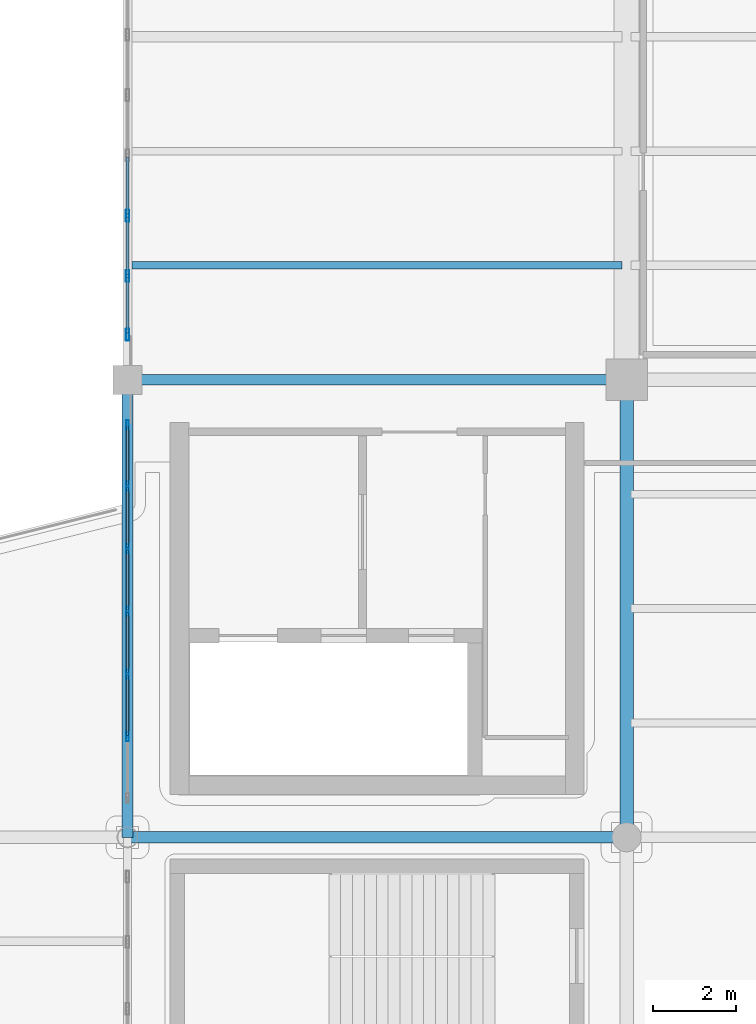
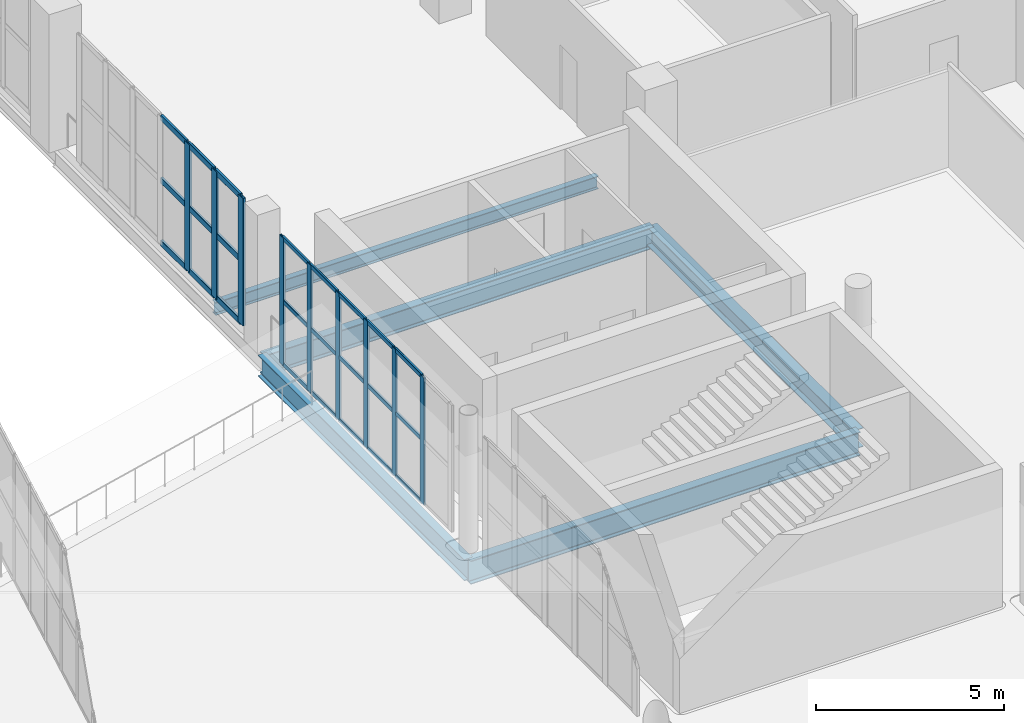
# One storey, part 40 of 108: 33 members, 5 beams, 2 elements without a shape of their own.
"""IFC4 building model written with IfcOpenShell, lengths in metres."""

from ifc_helpers import new_model, si_unit, direction, frame, origin, origin_2d, place, context, subcontext, project, spatial, hollow_rectangle, i_section, extrude, material, layer, layer_set, material_profile, profile_set, type_object, element, aggregate, save


model = new_model("IFC4")

# Units and contexts
model_context = context("Model", 3, precision=1e-05, world=origin(), true_north=direction((0.0, 1.0)))
body_context = subcontext(model_context, "Body", "Model", "MODEL_VIEW")
ifc_project = project(units=[si_unit("LENGTHUNIT", "METRE"), si_unit("AREAUNIT", "SQUARE_METRE"), si_unit("VOLUMEUNIT", "CUBIC_METRE"), si_unit("PLANEANGLEUNIT", "RADIAN"), si_unit("MASSUNIT", "GRAM", prefix="KILO")], contexts=[model_context])

# Site, building, storey
site_placement = place(None, origin())
site = spatial("IfcSite", under=ifc_project, at=site_placement, CompositionType="ELEMENT")
building_placement = place(site_placement, origin())
building = spatial("IfcBuilding", under=site, at=building_placement, Name="Brinegate Civic Arena", CompositionType="ELEMENT")
storey_placement = place(building_placement, frame((0.0, 0.0, 10.199951171875)))
storey = spatial("IfcBuildingStorey", under=building, at=storey_placement, Name="L02", CompositionType="ELEMENT", Elevation=10.199951171875)

# Curtain wall, members
ifc_material_1 = material(Name="Marine grade aluminium", Category="aluminium")
ifc_layer = layer(ifc_material_1, 0.199951171875, Name="Marine grade aluminium")
ifc_layer_set = layer_set([ifc_layer], Name="Marine grade aluminium")
curtain_wall_type = type_object("IfcCurtainWallType", Name="CW-BOWL-GLAZED-01", PredefinedType="USERDEFINED", material=ifc_layer_set)
curtain_wall_1_placement = place(storey_placement, origin())
curtain_wall_1 = element("IfcCurtainWall", 1, at=curtain_wall_1_placement, inside=storey, type_object=curtain_wall_type, Name="Curtain Wall CWA-089", ObjectType="GLAZED CURTAIN WALL", PredefinedType="USERDEFINED")
ifc_material_profile_1 = material_profile(ifc_material_1, hollow_rectangle(XDim=0.06494140625, YDim=0.219970703125, WallThickness=0.006103515625, InnerFilletRadius=0.00390625, OuterFilletRadius=0.008056640625, at=origin_2d()), Name="MUL65X220")
ifc_profile_set_1 = profile_set([ifc_material_profile_1], Name="Marine grade aluminium")
member_type_1 = type_object("IfcMemberType", Name="CW-MULLION-65X220", PredefinedType="MULLION", material=ifc_profile_set_1)
member_1_placement = place(storey_placement, frame((48.0, 84.416748046875, 0.0), z_axis=(0.0, 0.0, 1.0), x_axis=(-1.0, 0.0, 0.0)))
member_1 = element("IfcMember", 2, at=member_1_placement, type_object=member_type_1, Name="CWA-089 mullion 2", PredefinedType="MULLION", context=body_context, shape_type="SweptSolid", body=[
    extrude(hollow_rectangle(XDim=0.06494140625, YDim=0.219970703125, WallThickness=0.006103515625, InnerFilletRadius=0.00390625, OuterFilletRadius=0.008056640625, at=origin_2d()), origin(), (0.0, 0.0, 1.0), 4.150146484375),
])
member_2_placement = place(storey_placement, frame((48.0, 85.92431640625, 0.0), z_axis=(0.0, 0.0, 1.0), x_axis=(-1.0, 0.0, 0.0)))
member_2 = element("IfcMember", 3, at=member_2_placement, type_object=member_type_1, Name="CWA-089 mullion 3", PredefinedType="MULLION", context=body_context, shape_type="SweptSolid", body=[
    extrude(hollow_rectangle(XDim=0.06494140625, YDim=0.219970703125, WallThickness=0.006103515625, InnerFilletRadius=0.00390625, OuterFilletRadius=0.008056640625, at=origin_2d()), origin(), (0.0, 0.0, 1.0), 4.150146484375),
])
member_3_placement = place(storey_placement, frame((48.0, 87.431884765625, 0.0), z_axis=(0.0, 0.0, 1.0), x_axis=(-1.0, 0.0, 0.0)))
member_3 = element("IfcMember", 4, at=member_3_placement, type_object=member_type_1, Name="CWA-089 mullion 4", PredefinedType="MULLION", context=body_context, shape_type="SweptSolid", body=[
    extrude(hollow_rectangle(XDim=0.06494140625, YDim=0.219970703125, WallThickness=0.006103515625, InnerFilletRadius=0.00390625, OuterFilletRadius=0.008056640625, at=origin_2d()), origin(), (0.0, 0.0, 1.0), 4.150146484375),
])
member_4_placement = place(storey_placement, frame((48.0, 88.939697265625, 0.0), z_axis=(0.0, 0.0, 1.0), x_axis=(-1.0, 0.0, 0.0)))
member_4 = element("IfcMember", 5, at=member_4_placement, type_object=member_type_1, Name="CWA-089 mullion 5", PredefinedType="MULLION", context=body_context, shape_type="SweptSolid", body=[
    extrude(hollow_rectangle(XDim=0.06494140625, YDim=0.219970703125, WallThickness=0.006103515625, InnerFilletRadius=0.00390625, OuterFilletRadius=0.008056640625, at=origin_2d()), origin(), (0.0, 0.0, 1.0), 4.150146484375),
])
member_5_placement = place(storey_placement, frame((48.0, 90.447265625, 0.0), z_axis=(0.0, 0.0, 1.0), x_axis=(-1.0, 0.0, 0.0)))
member_5 = element("IfcMember", 6, at=member_5_placement, type_object=member_type_1, Name="CWA-089 mullion 6", PredefinedType="MULLION", context=body_context, shape_type="SweptSolid", body=[
    extrude(hollow_rectangle(XDim=0.06494140625, YDim=0.219970703125, WallThickness=0.006103515625, InnerFilletRadius=0.00390625, OuterFilletRadius=0.008056640625, at=origin_2d()), origin(), (0.0, 0.0, 1.0), 4.150146484375),
])
member_6_placement = place(storey_placement, frame((48.0, 91.922607421875, 0.0), z_axis=(0.0, 0.0, 1.0), x_axis=(-1.0, 0.0, 0.0)))
member_6 = element("IfcMember", 7, at=member_6_placement, type_object=member_type_1, Name="CWA-089 mullion 7", PredefinedType="MULLION", context=body_context, shape_type="SweptSolid", body=[
    extrude(hollow_rectangle(XDim=0.06494140625, YDim=0.219970703125, WallThickness=0.006103515625, InnerFilletRadius=0.00390625, OuterFilletRadius=0.008056640625, at=origin_2d()), origin(), (0.0, 0.0, 1.0), 4.150146484375),
])

curtain_wall_2_placement = place(storey_placement, origin())
curtain_wall_2 = element("IfcCurtainWall", 8, at=curtain_wall_2_placement, inside=storey, type_object=curtain_wall_type, Name="Curtain Wall CWA-091", ObjectType="GLAZED CURTAIN WALL", PredefinedType="USERDEFINED")
ifc_material_profile_2 = material_profile(ifc_material_1, hollow_rectangle(XDim=0.080078125, YDim=0.280029296875, WallThickness=0.007080078125, InnerFilletRadius=0.0048828125, OuterFilletRadius=0.010009765625, at=origin_2d()), Name="MUL80X280")
ifc_profile_set_2 = profile_set([ifc_material_profile_2], Name="Marine grade aluminium")
member_type_2 = type_object("IfcMemberType", Name="CW-MULLION-80X280", PredefinedType="MULLION", material=ifc_profile_set_2)
member_7_placement = place(storey_placement, frame((48.0, 94.0849609375, 0.0), z_axis=(0.0, 0.0, 1.0), x_axis=(-1.0, 0.0, 0.0)))
member_7 = element("IfcMember", 9, at=member_7_placement, type_object=member_type_2, Name="CWA-091 mullion 1", PredefinedType="MULLION", context=body_context, shape_type="SweptSolid", body=[
    extrude(hollow_rectangle(XDim=0.080078125, YDim=0.280029296875, WallThickness=0.007080078125, InnerFilletRadius=0.0048828125, OuterFilletRadius=0.010009765625, at=origin_2d()), origin(), (0.0, 0.0, 1.0), 4.150146484375),
])
member_8_placement = place(storey_placement, frame((48.0, 95.49462890625, 0.0), z_axis=(0.0, 0.0, 1.0), x_axis=(-1.0, 0.0, 0.0)))
member_8 = element("IfcMember", 10, at=member_8_placement, type_object=member_type_2, Name="CWA-091 mullion 2", PredefinedType="MULLION", context=body_context, shape_type="SweptSolid", body=[
    extrude(hollow_rectangle(XDim=0.080078125, YDim=0.280029296875, WallThickness=0.007080078125, InnerFilletRadius=0.0048828125, OuterFilletRadius=0.010009765625, at=origin_2d()), origin(), (0.0, 0.0, 1.0), 4.150146484375),
])
member_9_placement = place(storey_placement, frame((48.0, 96.9443359375, 0.0), z_axis=(0.0, 0.0, 1.0), x_axis=(-1.0, 0.0, 0.0)))
member_9 = element("IfcMember", 11, at=member_9_placement, type_object=member_type_2, Name="CWA-091 mullion 3", PredefinedType="MULLION", context=body_context, shape_type="SweptSolid", body=[
    extrude(hollow_rectangle(XDim=0.080078125, YDim=0.280029296875, WallThickness=0.007080078125, InnerFilletRadius=0.0048828125, OuterFilletRadius=0.010009765625, at=origin_2d()), origin(), (0.0, 0.0, 1.0), 4.150146484375),
])

# Member
ifc_material_profile_3 = material_profile(ifc_material_1, hollow_rectangle(XDim=0.06494140625, YDim=0.139892578125, WallThickness=0.0048828125, InnerFilletRadius=0.00390625, OuterFilletRadius=0.008056640625, at=origin_2d()), Name="TRN65X140")
ifc_profile_set_3 = profile_set([ifc_material_profile_3], Name="Marine grade aluminium")
member_type_3 = type_object("IfcMemberType", Name="CW-TRANSOM-65X140", PredefinedType="USERDEFINED", material=ifc_profile_set_3)
member_10_placement = place(storey_placement, frame((48.0, 84.44921875, 0.032470703125), z_axis=(0.0, 1.0, 0.0), x_axis=(-1.0, 0.0, 0.0)))
member_10 = element("IfcMember", 12, at=member_10_placement, type_object=member_type_3, Name="CWA-089 transom 2.1", ObjectType="TRANSOM", PredefinedType="USERDEFINED", context=body_context, shape_type="SweptSolid", body=[
    extrude(hollow_rectangle(XDim=0.06494140625, YDim=0.139892578125, WallThickness=0.0048828125, InnerFilletRadius=0.00390625, OuterFilletRadius=0.008056640625, at=origin_2d()), origin(), (0.0, 0.0, 1.0), 1.442626953125),
])

member_11_placement = place(storey_placement, frame((48.0, 84.44921875, 2.074951171875), z_axis=(0.0, 1.0, 0.0), x_axis=(-1.0, 0.0, 0.0)))
member_11 = element("IfcMember", 13, at=member_11_placement, type_object=member_type_3, Name="CWA-089 transom 2.2", ObjectType="TRANSOM", PredefinedType="USERDEFINED", context=body_context, shape_type="SweptSolid", body=[
    extrude(hollow_rectangle(XDim=0.06494140625, YDim=0.139892578125, WallThickness=0.0048828125, InnerFilletRadius=0.00390625, OuterFilletRadius=0.008056640625, at=origin_2d()), origin(), (0.0, 0.0, 1.0), 1.442626953125),
])

member_12_placement = place(storey_placement, frame((48.0, 84.44921875, 4.117431640625), z_axis=(0.0, 1.0, 0.0), x_axis=(-1.0, 0.0, 0.0)))
member_12 = element("IfcMember", 14, at=member_12_placement, type_object=member_type_3, Name="CWA-089 transom 2.3", ObjectType="TRANSOM", PredefinedType="USERDEFINED", context=body_context, shape_type="SweptSolid", body=[
    extrude(hollow_rectangle(XDim=0.06494140625, YDim=0.139892578125, WallThickness=0.0048828125, InnerFilletRadius=0.00390625, OuterFilletRadius=0.008056640625, at=origin_2d()), origin(), (0.0, 0.0, 1.0), 1.442626953125),
])

member_13_placement = place(storey_placement, frame((48.0, 85.956787109375, 0.032470703125), z_axis=(0.0, 1.0, 0.0), x_axis=(-1.0, 0.0, 0.0)))
member_13 = element("IfcMember", 15, at=member_13_placement, type_object=member_type_3, Name="CWA-089 transom 3.1", ObjectType="TRANSOM", PredefinedType="USERDEFINED", context=body_context, shape_type="SweptSolid", body=[
    extrude(hollow_rectangle(XDim=0.06494140625, YDim=0.139892578125, WallThickness=0.0048828125, InnerFilletRadius=0.00390625, OuterFilletRadius=0.008056640625, at=origin_2d()), origin(), (0.0, 0.0, 1.0), 1.442626953125),
])

member_14_placement = place(storey_placement, frame((48.0, 85.956787109375, 2.074951171875), z_axis=(0.0, 1.0, 0.0), x_axis=(-1.0, 0.0, 0.0)))
member_14 = element("IfcMember", 16, at=member_14_placement, type_object=member_type_3, Name="CWA-089 transom 3.2", ObjectType="TRANSOM", PredefinedType="USERDEFINED", context=body_context, shape_type="SweptSolid", body=[
    extrude(hollow_rectangle(XDim=0.06494140625, YDim=0.139892578125, WallThickness=0.0048828125, InnerFilletRadius=0.00390625, OuterFilletRadius=0.008056640625, at=origin_2d()), origin(), (0.0, 0.0, 1.0), 1.442626953125),
])

member_15_placement = place(storey_placement, frame((48.0, 85.956787109375, 4.117431640625), z_axis=(0.0, 1.0, 0.0), x_axis=(-1.0, 0.0, 0.0)))
member_15 = element("IfcMember", 17, at=member_15_placement, type_object=member_type_3, Name="CWA-089 transom 3.3", ObjectType="TRANSOM", PredefinedType="USERDEFINED", context=body_context, shape_type="SweptSolid", body=[
    extrude(hollow_rectangle(XDim=0.06494140625, YDim=0.139892578125, WallThickness=0.0048828125, InnerFilletRadius=0.00390625, OuterFilletRadius=0.008056640625, at=origin_2d()), origin(), (0.0, 0.0, 1.0), 1.442626953125),
])

member_16_placement = place(storey_placement, frame((48.0, 87.464599609375, 0.032470703125), z_axis=(0.0, 1.0, 0.0), x_axis=(-1.0, 0.0, 0.0)))
member_16 = element("IfcMember", 18, at=member_16_placement, type_object=member_type_3, Name="CWA-089 transom 4.1", ObjectType="TRANSOM", PredefinedType="USERDEFINED", context=body_context, shape_type="SweptSolid", body=[
    extrude(hollow_rectangle(XDim=0.06494140625, YDim=0.139892578125, WallThickness=0.0048828125, InnerFilletRadius=0.00390625, OuterFilletRadius=0.008056640625, at=origin_2d()), origin(), (0.0, 0.0, 1.0), 1.442626953125),
])

member_17_placement = place(storey_placement, frame((48.0, 87.464599609375, 2.074951171875), z_axis=(0.0, 1.0, 0.0), x_axis=(-1.0, 0.0, 0.0)))
member_17 = element("IfcMember", 19, at=member_17_placement, type_object=member_type_3, Name="CWA-089 transom 4.2", ObjectType="TRANSOM", PredefinedType="USERDEFINED", context=body_context, shape_type="SweptSolid", body=[
    extrude(hollow_rectangle(XDim=0.06494140625, YDim=0.139892578125, WallThickness=0.0048828125, InnerFilletRadius=0.00390625, OuterFilletRadius=0.008056640625, at=origin_2d()), origin(), (0.0, 0.0, 1.0), 1.442626953125),
])

member_18_placement = place(storey_placement, frame((48.0, 87.464599609375, 4.117431640625), z_axis=(0.0, 1.0, 0.0), x_axis=(-1.0, 0.0, 0.0)))
member_18 = element("IfcMember", 20, at=member_18_placement, type_object=member_type_3, Name="CWA-089 transom 4.3", ObjectType="TRANSOM", PredefinedType="USERDEFINED", context=body_context, shape_type="SweptSolid", body=[
    extrude(hollow_rectangle(XDim=0.06494140625, YDim=0.139892578125, WallThickness=0.0048828125, InnerFilletRadius=0.00390625, OuterFilletRadius=0.008056640625, at=origin_2d()), origin(), (0.0, 0.0, 1.0), 1.442626953125),
])

member_19_placement = place(storey_placement, frame((48.0, 88.97216796875, 0.032470703125), z_axis=(0.0, 1.0, 0.0), x_axis=(-1.0, 0.0, 0.0)))
member_19 = element("IfcMember", 21, at=member_19_placement, type_object=member_type_3, Name="CWA-089 transom 5.1", ObjectType="TRANSOM", PredefinedType="USERDEFINED", context=body_context, shape_type="SweptSolid", body=[
    extrude(hollow_rectangle(XDim=0.06494140625, YDim=0.139892578125, WallThickness=0.0048828125, InnerFilletRadius=0.00390625, OuterFilletRadius=0.008056640625, at=origin_2d()), origin(), (0.0, 0.0, 1.0), 1.442626953125),
])

member_20_placement = place(storey_placement, frame((48.0, 88.97216796875, 2.074951171875), z_axis=(0.0, 1.0, 0.0), x_axis=(-1.0, 0.0, 0.0)))
member_20 = element("IfcMember", 22, at=member_20_placement, type_object=member_type_3, Name="CWA-089 transom 5.2", ObjectType="TRANSOM", PredefinedType="USERDEFINED", context=body_context, shape_type="SweptSolid", body=[
    extrude(hollow_rectangle(XDim=0.06494140625, YDim=0.139892578125, WallThickness=0.0048828125, InnerFilletRadius=0.00390625, OuterFilletRadius=0.008056640625, at=origin_2d()), origin(), (0.0, 0.0, 1.0), 1.442626953125),
])

member_21_placement = place(storey_placement, frame((48.0, 88.97216796875, 4.117431640625), z_axis=(0.0, 1.0, 0.0), x_axis=(-1.0, 0.0, 0.0)))
member_21 = element("IfcMember", 23, at=member_21_placement, type_object=member_type_3, Name="CWA-089 transom 5.3", ObjectType="TRANSOM", PredefinedType="USERDEFINED", context=body_context, shape_type="SweptSolid", body=[
    extrude(hollow_rectangle(XDim=0.06494140625, YDim=0.139892578125, WallThickness=0.0048828125, InnerFilletRadius=0.00390625, OuterFilletRadius=0.008056640625, at=origin_2d()), origin(), (0.0, 0.0, 1.0), 1.442626953125),
])

member_22_placement = place(storey_placement, frame((48.0, 90.479736328125, 0.032470703125), z_axis=(0.0, 1.0, 0.0), x_axis=(-1.0, 0.0, 0.0)))
member_22 = element("IfcMember", 24, at=member_22_placement, type_object=member_type_3, Name="CWA-089 transom 6.1", ObjectType="TRANSOM", PredefinedType="USERDEFINED", context=body_context, shape_type="SweptSolid", body=[
    extrude(hollow_rectangle(XDim=0.06494140625, YDim=0.139892578125, WallThickness=0.0048828125, InnerFilletRadius=0.00390625, OuterFilletRadius=0.008056640625, at=origin_2d()), origin(), (0.0, 0.0, 1.0), 1.41015625),
])

member_23_placement = place(storey_placement, frame((48.0, 90.479736328125, 2.074951171875), z_axis=(0.0, 1.0, 0.0), x_axis=(-1.0, 0.0, 0.0)))
member_23 = element("IfcMember", 25, at=member_23_placement, type_object=member_type_3, Name="CWA-089 transom 6.2", ObjectType="TRANSOM", PredefinedType="USERDEFINED", context=body_context, shape_type="SweptSolid", body=[
    extrude(hollow_rectangle(XDim=0.06494140625, YDim=0.139892578125, WallThickness=0.0048828125, InnerFilletRadius=0.00390625, OuterFilletRadius=0.008056640625, at=origin_2d()), origin(), (0.0, 0.0, 1.0), 1.41015625),
])

member_24_placement = place(storey_placement, frame((48.0, 90.479736328125, 4.117431640625), z_axis=(0.0, 1.0, 0.0), x_axis=(-1.0, 0.0, 0.0)))
member_24 = element("IfcMember", 26, at=member_24_placement, type_object=member_type_3, Name="CWA-089 transom 6.3", ObjectType="TRANSOM", PredefinedType="USERDEFINED", context=body_context, shape_type="SweptSolid", body=[
    extrude(hollow_rectangle(XDim=0.06494140625, YDim=0.139892578125, WallThickness=0.0048828125, InnerFilletRadius=0.00390625, OuterFilletRadius=0.008056640625, at=origin_2d()), origin(), (0.0, 0.0, 1.0), 1.41015625),
])

aggregate(curtain_wall_1, [member_1, member_2, member_3, member_4, member_5, member_6, member_10, member_11, member_12, member_13, member_14, member_15, member_16, member_17, member_18, member_19, member_20, member_21, member_22, member_23, member_24])

ifc_material_profile_4 = material_profile(ifc_material_1, hollow_rectangle(XDim=0.074951171875, YDim=0.18994140625, WallThickness=0.006103515625, InnerFilletRadius=0.00390625, OuterFilletRadius=0.008056640625, at=origin_2d()), Name="TRN75X190")
ifc_profile_set_4 = profile_set([ifc_material_profile_4], Name="Marine grade aluminium")
member_type_4 = type_object("IfcMemberType", Name="CW-TRANSOM-75X190", PredefinedType="USERDEFINED", material=ifc_profile_set_4)
member_25_placement = place(storey_placement, frame((48.0, 94.125, 0.03759765625), z_axis=(0.0, 1.0, 0.0), x_axis=(-1.0, 0.0, 0.0)))
member_25 = element("IfcMember", 27, at=member_25_placement, type_object=member_type_4, Name="CWA-091 transom 1.1", ObjectType="TRANSOM", PredefinedType="USERDEFINED", context=body_context, shape_type="SweptSolid", body=[
    extrude(hollow_rectangle(XDim=0.074951171875, YDim=0.18994140625, WallThickness=0.006103515625, InnerFilletRadius=0.00390625, OuterFilletRadius=0.008056640625, at=origin_2d()), origin(), (0.0, 0.0, 1.0), 1.32958984375),
])

member_26_placement = place(storey_placement, frame((48.0, 94.125, 2.074951171875), z_axis=(0.0, 1.0, 0.0), x_axis=(-1.0, 0.0, 0.0)))
member_26 = element("IfcMember", 28, at=member_26_placement, type_object=member_type_4, Name="CWA-091 transom 1.2", ObjectType="TRANSOM", PredefinedType="USERDEFINED", context=body_context, shape_type="SweptSolid", body=[
    extrude(hollow_rectangle(XDim=0.074951171875, YDim=0.18994140625, WallThickness=0.006103515625, InnerFilletRadius=0.00390625, OuterFilletRadius=0.008056640625, at=origin_2d()), origin(), (0.0, 0.0, 1.0), 1.32958984375),
])

member_27_placement = place(storey_placement, frame((48.0, 94.125, 4.112548828125), z_axis=(0.0, 1.0, 0.0), x_axis=(-1.0, 0.0, 0.0)))
member_27 = element("IfcMember", 29, at=member_27_placement, type_object=member_type_4, Name="CWA-091 transom 1.3", ObjectType="TRANSOM", PredefinedType="USERDEFINED", context=body_context, shape_type="SweptSolid", body=[
    extrude(hollow_rectangle(XDim=0.074951171875, YDim=0.18994140625, WallThickness=0.006103515625, InnerFilletRadius=0.00390625, OuterFilletRadius=0.008056640625, at=origin_2d()), origin(), (0.0, 0.0, 1.0), 1.32958984375),
])

member_28_placement = place(storey_placement, frame((48.0, 95.53466796875, 0.03759765625), z_axis=(0.0, 1.0, 0.0), x_axis=(-1.0, 0.0, 0.0)))
member_28 = element("IfcMember", 30, at=member_28_placement, type_object=member_type_4, Name="CWA-091 transom 2.1", ObjectType="TRANSOM", PredefinedType="USERDEFINED", context=body_context, shape_type="SweptSolid", body=[
    extrude(hollow_rectangle(XDim=0.074951171875, YDim=0.18994140625, WallThickness=0.006103515625, InnerFilletRadius=0.00390625, OuterFilletRadius=0.008056640625, at=origin_2d()), origin(), (0.0, 0.0, 1.0), 1.36962890625),
])

member_29_placement = place(storey_placement, frame((48.0, 95.53466796875, 2.074951171875), z_axis=(0.0, 1.0, 0.0), x_axis=(-1.0, 0.0, 0.0)))
member_29 = element("IfcMember", 31, at=member_29_placement, type_object=member_type_4, Name="CWA-091 transom 2.2", ObjectType="TRANSOM", PredefinedType="USERDEFINED", context=body_context, shape_type="SweptSolid", body=[
    extrude(hollow_rectangle(XDim=0.074951171875, YDim=0.18994140625, WallThickness=0.006103515625, InnerFilletRadius=0.00390625, OuterFilletRadius=0.008056640625, at=origin_2d()), origin(), (0.0, 0.0, 1.0), 1.36962890625),
])

member_30_placement = place(storey_placement, frame((48.0, 95.53466796875, 4.112548828125), z_axis=(0.0, 1.0, 0.0), x_axis=(-1.0, 0.0, 0.0)))
member_30 = element("IfcMember", 32, at=member_30_placement, type_object=member_type_4, Name="CWA-091 transom 2.3", ObjectType="TRANSOM", PredefinedType="USERDEFINED", context=body_context, shape_type="SweptSolid", body=[
    extrude(hollow_rectangle(XDim=0.074951171875, YDim=0.18994140625, WallThickness=0.006103515625, InnerFilletRadius=0.00390625, OuterFilletRadius=0.008056640625, at=origin_2d()), origin(), (0.0, 0.0, 1.0), 1.36962890625),
])

member_31_placement = place(storey_placement, frame((48.0, 96.984375, 0.03759765625), z_axis=(0.0, 1.0, 0.0), x_axis=(-1.0, 0.0, 0.0)))
member_31 = element("IfcMember", 33, at=member_31_placement, type_object=member_type_4, Name="CWA-091 transom 3.1", ObjectType="TRANSOM", PredefinedType="USERDEFINED", context=body_context, shape_type="SweptSolid", body=[
    extrude(hollow_rectangle(XDim=0.074951171875, YDim=0.18994140625, WallThickness=0.006103515625, InnerFilletRadius=0.00390625, OuterFilletRadius=0.008056640625, at=origin_2d()), origin(), (0.0, 0.0, 1.0), 1.36962890625),
])

member_32_placement = place(storey_placement, frame((48.0, 96.984375, 2.074951171875), z_axis=(0.0, 1.0, 0.0), x_axis=(-1.0, 0.0, 0.0)))
member_32 = element("IfcMember", 34, at=member_32_placement, type_object=member_type_4, Name="CWA-091 transom 3.2", ObjectType="TRANSOM", PredefinedType="USERDEFINED", context=body_context, shape_type="SweptSolid", body=[
    extrude(hollow_rectangle(XDim=0.074951171875, YDim=0.18994140625, WallThickness=0.006103515625, InnerFilletRadius=0.00390625, OuterFilletRadius=0.008056640625, at=origin_2d()), origin(), (0.0, 0.0, 1.0), 1.36962890625),
])

member_33_placement = place(storey_placement, frame((48.0, 96.984375, 4.112548828125), z_axis=(0.0, 1.0, 0.0), x_axis=(-1.0, 0.0, 0.0)))
member_33 = element("IfcMember", 35, at=member_33_placement, type_object=member_type_4, Name="CWA-091 transom 3.3", ObjectType="TRANSOM", PredefinedType="USERDEFINED", context=body_context, shape_type="SweptSolid", body=[
    extrude(hollow_rectangle(XDim=0.074951171875, YDim=0.18994140625, WallThickness=0.006103515625, InnerFilletRadius=0.00390625, OuterFilletRadius=0.008056640625, at=origin_2d()), origin(), (0.0, 0.0, 1.0), 1.36962890625),
])

aggregate(curtain_wall_2, [member_7, member_8, member_9, member_25, member_26, member_27, member_28, member_29, member_30, member_31, member_32, member_33])

# Beams
ifc_material_2 = material(Name="Steel S355", Category="steel")
ifc_material_profile_5 = material_profile(ifc_material_2, i_section(OverallWidth=0.324951171875, OverallDepth=0.615966796875, WebThickness=0.013916015625, FlangeThickness=0.02197265625, FilletRadius=0.01611328125, at=origin_2d()), Name="W610X174")
ifc_profile_set_5 = profile_set([ifc_material_profile_5], Name="Steel S355")
beam_type_1 = type_object("IfcBeamType", Name="GIRDER-W610X174", PredefinedType="BEAM", material=ifc_profile_set_5)
beam_1_placement = place(storey_placement, frame((60.0, 82.0, -0.637939453125), z_axis=(0.0, 1.0, 0.0), x_axis=(-1.0, 0.0, 0.0)))
element("IfcBeam", 36, at=beam_1_placement, inside=storey, type_object=beam_type_1, Name="Floor Girder BM-L02-GY-05-08", PredefinedType="BEAM", context=body_context, shape_type="SweptSolid", body=[
    extrude(i_section(OverallWidth=0.324951171875, OverallDepth=0.615966796875, WebThickness=0.013916015625, FlangeThickness=0.02197265625, FilletRadius=0.01611328125, at=origin_2d()), origin(), (0.0, 0.0, 1.0), 11.0),
])
ifc_material_profile_6 = material_profile(ifc_material_2, i_section(OverallWidth=0.256103515625, OverallDepth=0.693115234375, WebThickness=0.014892578125, FlangeThickness=0.02392578125, FilletRadius=0.01806640625, at=origin_2d()), Name="W690X170")
ifc_profile_set_6 = profile_set([ifc_material_profile_6], Name="Steel S355")
beam_type_2 = type_object("IfcBeamType", Name="GIRDER-W690X170", PredefinedType="BEAM", material=ifc_profile_set_6)
beam_2_placement = place(storey_placement, frame((48.0, 93.0, -0.676025390625), z_axis=(1.0, 0.0, 0.0), x_axis=(0.0, 1.0, 0.0)))
element("IfcBeam", 37, at=beam_2_placement, inside=storey, type_object=beam_type_2, Name="Floor Girder BM-L02-GX-04-09", PredefinedType="BEAM", context=body_context, shape_type="SweptSolid", body=[
    extrude(i_section(OverallWidth=0.256103515625, OverallDepth=0.693115234375, WebThickness=0.014892578125, FlangeThickness=0.02392578125, FilletRadius=0.01806640625, at=origin_2d()), origin(), (0.0, 0.0, 1.0), 12.0),
])
ifc_material_profile_7 = material_profile(ifc_material_2, i_section(OverallWidth=0.26806640625, OverallDepth=0.77001953125, WebThickness=0.01611328125, FlangeThickness=0.02490234375, FilletRadius=0.02001953125, at=origin_2d()), Name="W760X196")
ifc_profile_set_7 = profile_set([ifc_material_profile_7], Name="Steel S355")
beam_type_3 = type_object("IfcBeamType", Name="GIRDER-W760X196", PredefinedType="BEAM", material=ifc_profile_set_7)
beam_3_placement = place(storey_placement, frame((48.0, 82.0, -0.71484375), z_axis=(1.0, 0.0, 0.0), x_axis=(0.0, 1.0, 0.0)))
element("IfcBeam", 38, at=beam_3_placement, inside=storey, type_object=beam_type_3, Name="Floor Girder BM-L02-GX-04-08", PredefinedType="BEAM", context=body_context, shape_type="SweptSolid", body=[
    extrude(i_section(OverallWidth=0.26806640625, OverallDepth=0.77001953125, WebThickness=0.01611328125, FlangeThickness=0.02490234375, FilletRadius=0.02001953125, at=origin_2d()), origin(), (0.0, 0.0, 1.0), 12.0),
])
ifc_material_profile_8 = material_profile(ifc_material_2, i_section(OverallWidth=0.180908203125, OverallDepth=0.4169921875, WebThickness=0.010986328125, FlangeThickness=0.01806640625, FilletRadius=0.013916015625, at=origin_2d()), Name="W410X85")
ifc_profile_set_8 = profile_set([ifc_material_profile_8], Name="Steel S355")
beam_type_4 = type_object("IfcBeamType", Name="JOIST-W410X85", PredefinedType="JOIST", material=ifc_profile_set_8)
beam_4_placement = place(storey_placement, frame((48.10595703125, 95.75, -0.537841796875), z_axis=(1.0, 0.0, 0.0), x_axis=(0.0, 1.0, 0.0)))
element("IfcBeam", 39, at=beam_4_placement, inside=storey, type_object=beam_type_4, Name="Secondary Joist BM-L02-JX-04-09-1", PredefinedType="JOIST", context=body_context, shape_type="SweptSolid", body=[
    extrude(i_section(OverallWidth=0.180908203125, OverallDepth=0.4169921875, WebThickness=0.010986328125, FlangeThickness=0.01806640625, FilletRadius=0.013916015625, at=origin_2d()), origin(), (0.0, 0.0, 1.0), 11.7880859375),
])
ifc_material_profile_9 = material_profile(ifc_material_2, i_section(OverallWidth=0.256103515625, OverallDepth=0.693115234375, WebThickness=0.014892578125, FlangeThickness=0.02392578125, FilletRadius=0.01806640625, at=origin_2d()), Name="W690X170")
ifc_profile_set_9 = profile_set([ifc_material_profile_9], Name="Steel S355")
beam_type_5 = type_object("IfcBeamType", Name="SPANDREL-W690X170", PredefinedType="SPANDREL", material=ifc_profile_set_9)
beam_5_placement = place(storey_placement, frame((48.0, 82.0, -0.676025390625), z_axis=(0.0, 1.0, 0.0), x_axis=(-1.0, 0.0, 0.0)))
element("IfcBeam", 40, at=beam_5_placement, inside=storey, type_object=beam_type_5, Name="Floor Girder BM-L02-GY-04-08", PredefinedType="SPANDREL", context=body_context, shape_type="SweptSolid", body=[
    extrude(i_section(OverallWidth=0.256103515625, OverallDepth=0.693115234375, WebThickness=0.014892578125, FlangeThickness=0.02392578125, FilletRadius=0.01806640625, at=origin_2d()), origin(), (0.0, 0.0, 1.0), 11.0),
])

save(model, "model.ifc")
